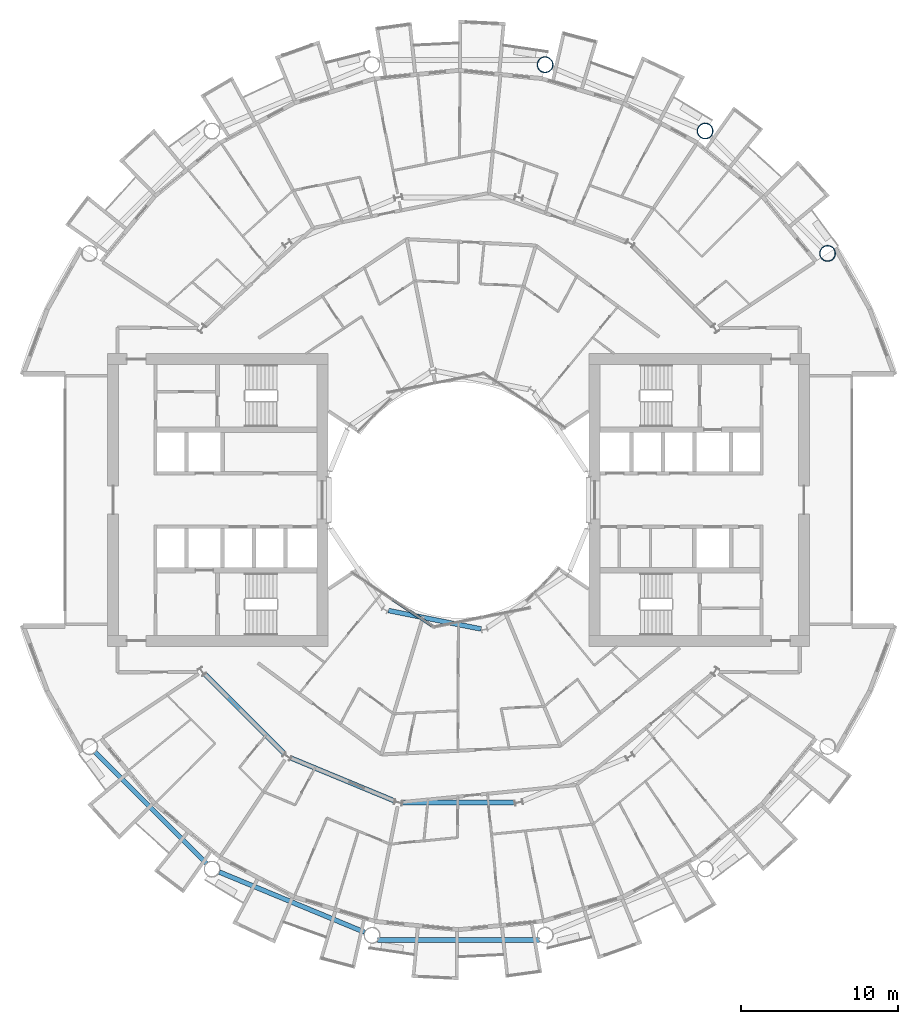
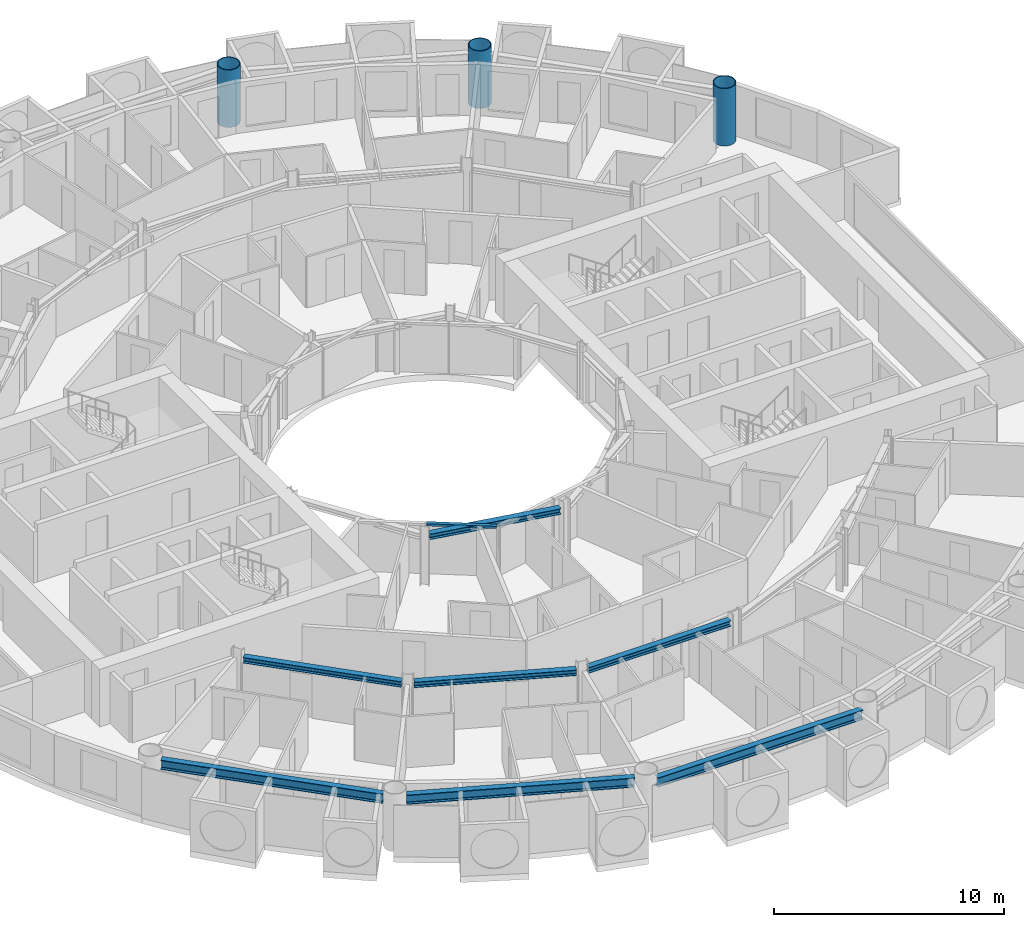
# One storey, part 4 of 26: 7 beams, 3 columns, 1 member, 1 element without a shape of its own.
"""IFC4 building model written with IfcOpenShell, lengths in metres."""

from ifc_helpers import new_model, si_unit, direction, frame, origin, origin_2d, place, context, subcontext, project, spatial, rectangle, hollow_circle, i_section, extrude, material, layer, layer_set, material_profile, profile_set, type_object, element, aggregate, save


model = new_model("IFC4")

# Units and contexts
model_context = context("Model", 3, precision=1e-05, world=origin(), true_north=direction((0.0, 1.0)))
body_context = subcontext(model_context, "Body", "Model", "MODEL_VIEW")
ifc_project = project(units=[si_unit("LENGTHUNIT", "METRE"), si_unit("AREAUNIT", "SQUARE_METRE"), si_unit("VOLUMEUNIT", "CUBIC_METRE"), si_unit("PLANEANGLEUNIT", "RADIAN"), si_unit("MASSUNIT", "GRAM", prefix="KILO")], contexts=[model_context])

# Site, building, storey
site_placement = place(None, origin())
site = spatial("IfcSite", under=ifc_project, at=site_placement, CompositionType="ELEMENT")
building_placement = place(site_placement, origin())
building = spatial("IfcBuilding", under=site, at=building_placement, Name="Maasbend Ring Residences", CompositionType="ELEMENT")
storey_placement = place(building_placement, frame((0.0, 0.0, 66.64990234375)))
storey = spatial("IfcBuildingStorey", under=building, at=storey_placement, Name="L18", CompositionType="ELEMENT", Elevation=66.64990234375)

# Columns
ifc_material_1 = material(Name="Composite concrete-filled steel tube S460NH / C80/95", Category="concrete")
ifc_material_profile_1 = material_profile(ifc_material_1, hollow_circle(Radius=0.508056640625, WallThickness=0.0400390625, at=origin_2d()), Name="Composite tube column CHS 1016x40")
ifc_profile_set_1 = profile_set([ifc_material_profile_1], Name="Composite concrete-filled steel tube S460NH / C80/95")
column_type = type_object("IfcColumnType", Name="Composite tube column CHS 1016x40", PredefinedType="COLUMN", material=ifc_profile_set_1)
for number, where, z_axis, x_axis, name in (
    (1, (23.447509765625, 15.6669921875, 0.0), (0.0, 0.0, 1.0), (1.0, 0.0, 0.0), "Outer column R2"),
    (2, (15.6669921875, 23.447509765625, 0.0), (0.0, 0.0, 1.0), (1.0, 0.0, 0.0), "Outer column R3"),
    (3, (5.50146484375, 27.658203125, 0.0), (0.0, 0.0, 1.0), (1.0, 0.0, 0.0), "Outer column R4"),
):
    element("IfcColumn", number, at=place(storey_placement, frame(where, z_axis=z_axis, x_axis=x_axis)), inside=storey, type_object=column_type, Name=name, PredefinedType="COLUMN", context=body_context, shape_type="SweptSolid", body=[
        extrude(hollow_circle(Radius=0.508056640625, WallThickness=0.0400390625, at=origin_2d()), origin(), (0.0, 0.0, 1.0), 3.050048828125),
    ])

# Curtain wall, member
ifc_material_2 = material(Name="Aluminium and clear glass", Category="aluminium")
ifc_layer = layer(ifc_material_2, 0.179931640625)
ifc_layer_set = layer_set([ifc_layer], Name="CW-W")
curtain_wall_type = type_object("IfcCurtainWallType", Name="CW-W", PredefinedType="NOTDEFINED", material=ifc_layer_set)
curtain_wall_placement = place(storey_placement, origin())
curtain_wall = element("IfcCurtainWall", 4, at=curtain_wall_placement, inside=storey, type_object=curtain_wall_type, Name="Well curtain wall S1", PredefinedType="NOTDEFINED")
ifc_material_3 = material(Name="Aluminium 6063-T6", Category="aluminium")
ifc_material_profile_2 = material_profile(ifc_material_3, rectangle(XDim=0.179931640625, YDim=0.1201171875, at=origin_2d()), Name="AL 180x120")
ifc_profile_set_2 = profile_set([ifc_material_profile_2], Name="Aluminium 6063-T6")
member_type = type_object("IfcMemberType", Name="CWT-W", PredefinedType="USERDEFINED", material=ifc_profile_set_2)
member_placement = place(storey_placement, frame((-4.19189453125, -6.32763671875, 2.64013671875), z_axis=(0.831496422459, -0.555530106689, 0.0), x_axis=(0.555530106689, 0.831496422459, 0.0)))
member = element("IfcMember", 5, at=member_placement, type_object=member_type, Name="Transom well face", ObjectType="TRANSOM", PredefinedType="USERDEFINED", context=body_context, shape_type="SweptSolid", body=[
    extrude(rectangle(XDim=0.179931640625, YDim=0.1201171875, at=origin_2d()), origin(), (0.0, 0.0, 1.0), 3.053955078125),
])
aggregate(curtain_wall, [member])

# Beams
ifc_material_4 = material(Name="Steel S355J2", Category="steel")
ifc_material_profile_3 = material_profile(ifc_material_4, i_section(OverallWidth=0.300048828125, OverallDepth=0.300048828125, WebThickness=0.010986328125, FlangeThickness=0.01904296875, FilletRadius=0.027099609375, at=origin_2d()), Name="HEB 300")
ifc_profile_set_3 = profile_set([ifc_material_profile_3], Name="Steel S355J2")
beam_type_1 = type_object("IfcBeamType", Name="Corridor ring beam HEB 300", PredefinedType="BEAM", material=ifc_profile_set_3)
for number, where, z_axis, x_axis, name in (
    (6, (-16.10791015625, -11.078125, 2.550048828125), (0.707106781187, -0.707106781187, 0.0), (0.707106781187, 0.707106781187, 0.0), "Corridor ring beam"),
    (7, (-10.642333984375, -16.39892578125, 2.550048828125), (0.923877113721, -0.382689271788, 0.0), (0.382689271788, 0.923877113721, 0.0), "Corridor ring beam"),
    (8, (-3.556640625, -19.223388671875, 2.550048828125), (1.0, 0.0, 0.0), (0.0, 1.0, 0.0), "Corridor ring beam"),
):
    element("IfcBeam", number, at=place(storey_placement, frame(where, z_axis=z_axis, x_axis=x_axis)), inside=storey, type_object=beam_type_1, Name=name, PredefinedType="BEAM", context=body_context, shape_type="SweptSolid", body=[
        extrude(i_section(OverallWidth=0.300048828125, OverallDepth=0.300048828125, WebThickness=0.010986328125, FlangeThickness=0.01904296875, FilletRadius=0.027099609375, at=origin_2d()), origin(), (0.0, 0.0, 1.0), 7.11328125),
    ])
ifc_material_5 = material(Name="Steel S355J2", Category="steel")
ifc_material_profile_4 = material_profile(ifc_material_5, i_section(OverallWidth=0.300048828125, OverallDepth=0.5, WebThickness=0.014404296875, FlangeThickness=0.028076171875, FilletRadius=0.027099609375, at=origin_2d()), Name="HEB 500")
ifc_profile_set_4 = profile_set([ifc_material_profile_4], Name="Steel S355J2")
beam_type_2 = type_object("IfcBeamType", Name="Spandrel ring beam HEB 500", PredefinedType="SPANDREL", material=ifc_profile_set_4)
beam_1_placement = place(storey_placement, frame((-23.088134765625, -16.0263671875, 2.4501953125), z_axis=(0.707106781187, -0.707106781187, 0.0), x_axis=(0.707106781187, 0.707106781187, 0.0)))
element("IfcBeam", 9, at=beam_1_placement, inside=storey, type_object=beam_type_2, Name="Spandrel ring beam", PredefinedType="SPANDREL", context=body_context, shape_type="SweptSolid", body=[
    extrude(i_section(OverallWidth=0.300048828125, OverallDepth=0.5, WebThickness=0.014404296875, FlangeThickness=0.028076171875, FilletRadius=0.027099609375, at=origin_2d()), origin(), (0.0, 0.0, 1.0), 9.98681640625),
])
beam_2_placement = place(storey_placement, frame((-15.19775390625, -23.641845703125, 2.4501953125), z_axis=(0.923886337442, -0.382667003395, 0.0), x_axis=(0.382667003395, 0.923886337442, 0.0)))
element("IfcBeam", 10, at=beam_2_placement, inside=storey, type_object=beam_type_2, Name="Spandrel ring beam", PredefinedType="SPANDREL", context=body_context, shape_type="SweptSolid", body=[
    extrude(i_section(OverallWidth=0.300048828125, OverallDepth=0.5, WebThickness=0.014404296875, FlangeThickness=0.028076171875, FilletRadius=0.027099609375, at=origin_2d()), origin(), (0.0, 0.0, 1.0), 9.9873046875),
])
beam_3_placement = place(storey_placement, frame((-5.1435546875, -27.9580078125, 2.4501953125), z_axis=(1.0, 0.0, 0.0), x_axis=(0.0, 1.0, 0.0)))
element("IfcBeam", 11, at=beam_3_placement, inside=storey, type_object=beam_type_2, Name="Spandrel ring beam", PredefinedType="SPANDREL", context=body_context, shape_type="SweptSolid", body=[
    extrude(i_section(OverallWidth=0.300048828125, OverallDepth=0.5, WebThickness=0.014404296875, FlangeThickness=0.028076171875, FilletRadius=0.027099609375, at=origin_2d()), origin(), (0.0, 0.0, 1.0), 10.287109375),
])
ifc_material_6 = material(Name="Steel S355J2", Category="steel")
ifc_material_profile_5 = material_profile(ifc_material_6, i_section(OverallWidth=0.300048828125, OverallDepth=0.300048828125, WebThickness=0.010986328125, FlangeThickness=0.01904296875, FilletRadius=0.027099609375, at=origin_2d()), Name="HEB 300")
ifc_profile_set_5 = profile_set([ifc_material_profile_5], Name="Steel S355J2")
beam_type_3 = type_object("IfcBeamType", Name="Well edge beam HEB 300", PredefinedType="BEAM", material=ifc_profile_set_5)
beam_4_placement = place(storey_placement, frame((-4.45458984375, -7.026611328125, 2.550048828125), z_axis=(0.980789954577, -0.195066821885, 0.0), x_axis=(0.195066821885, 0.980789954577, 0.0)))
element("IfcBeam", 12, at=beam_4_placement, inside=storey, type_object=beam_type_3, Name="Well edge beam", PredefinedType="BEAM", context=body_context, shape_type="SweptSolid", body=[
    extrude(i_section(OverallWidth=0.300048828125, OverallDepth=0.300048828125, WebThickness=0.010986328125, FlangeThickness=0.01904296875, FilletRadius=0.027099609375, at=origin_2d()), origin(), (0.0, 0.0, 1.0), 5.996337890625),
])

save(model, "model.ifc")
